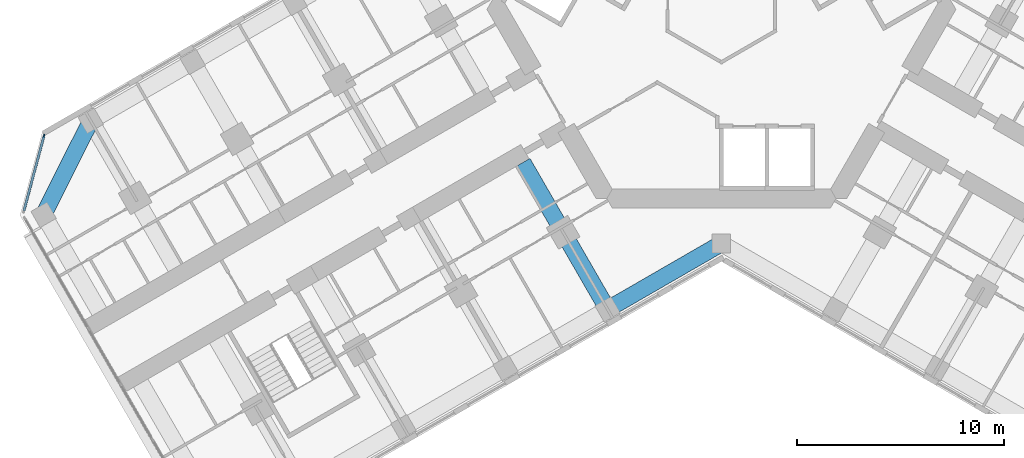
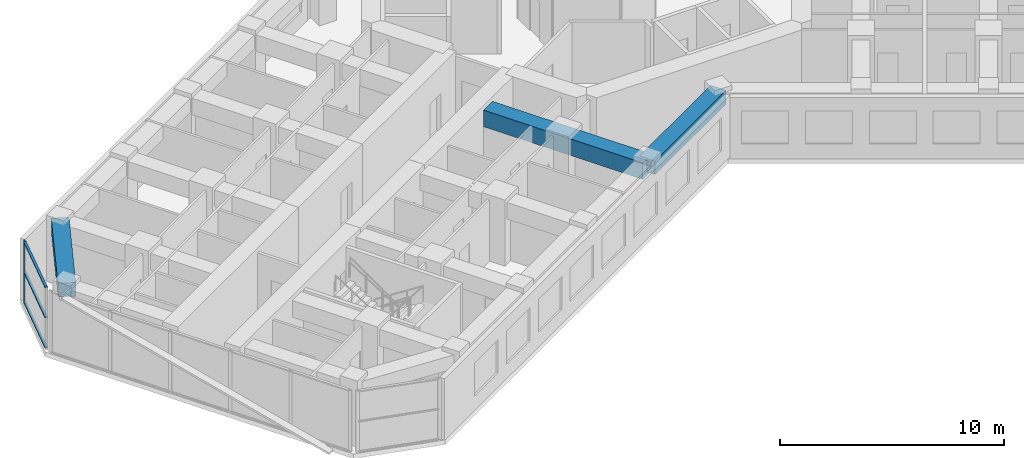
# One storey, part 3 of 19: 4 members, 3 beams, 1 element without a shape of its own.
"""IFC4 building model written with IfcOpenShell, lengths in metres."""

from ifc_helpers import new_model, si_unit, direction, frame, origin, origin_2d, place, context, subcontext, project, spatial, rectangle, extrude, material, material_profile, profile_set, type_object, element, aggregate, save


model = new_model("IFC4")

# Units and contexts
model_context = context("Model", 3, precision=1e-05, world=origin(), true_north=direction((0.0, 1.0)))
body_context = subcontext(model_context, "Body", "Model", "MODEL_VIEW")
ifc_project = project(units=[si_unit("LENGTHUNIT", "METRE"), si_unit("AREAUNIT", "SQUARE_METRE"), si_unit("VOLUMEUNIT", "CUBIC_METRE"), si_unit("PLANEANGLEUNIT", "RADIAN"), si_unit("MASSUNIT", "GRAM", prefix="KILO")], contexts=[model_context])

# Site, building, storey
site_placement = place(None, origin())
site = spatial("IfcSite", under=ifc_project, at=site_placement, CompositionType="ELEMENT")
building_placement = place(site_placement, origin())
building = spatial("IfcBuilding", under=site, at=building_placement, Name="Kosmar Iwan School Tower", CompositionType="ELEMENT")
storey_placement = place(building_placement, frame((0.0, 0.0, 165.199951171875)))
storey = spatial("IfcBuildingStorey", under=building, at=storey_placement, Name="L41", CompositionType="ELEMENT", Elevation=165.199951171875)

# Curtain wall, member
ifc_material_1 = material(Name="Dark glass in black aluminium frame", Category="aluminium")
curtain_wall_type = type_object("IfcCurtainWallType", Name="Chamfer curtain wall dark glass", PredefinedType="USERDEFINED", material=ifc_material_1)
curtain_wall_placement = place(storey_placement, origin())
curtain_wall = element("IfcCurtainWall", 1, at=curtain_wall_placement, inside=storey, type_object=curtain_wall_type, Name="Curtain wall L41-F12", ObjectType="FACETED CURTAIN WALL", PredefinedType="USERDEFINED")
ifc_material_2 = material(Name="Black anodised aluminium", Category="aluminium")
ifc_material_profile_1 = material_profile(ifc_material_2, rectangle(XDim=0.06005859375, YDim=0.159912109375, at=origin_2d()), Name="MULLION 60x160")
ifc_profile_set_1 = profile_set([ifc_material_profile_1], Name="Black anodised aluminium")
member_type_1 = type_object("IfcMemberType", Name="Mullion 60x160", PredefinedType="MULLION", material=ifc_profile_set_1)
member_1_placement = place(storey_placement, frame((-32.78076171875, -6.5732421875, 0.0), z_axis=(0.0, 0.0, 1.0), x_axis=(0.965925875495, -0.258818861462, 0.0)))
member_1 = element("IfcMember", 2, at=member_1_placement, type_object=member_type_1, Name="CW2 mullion 1", PredefinedType="MULLION", context=body_context, shape_type="SweptSolid", body=[
    extrude(rectangle(XDim=0.06005859375, YDim=0.159912109375, at=origin_2d()), origin(), (0.0, 0.0, 1.0), 3.35009765625),
])

# Beams
ifc_material_3 = material(Name="Concrete C50/60", Category="concrete")
ifc_material_profile_2 = material_profile(ifc_material_3, rectangle(XDim=0.800048828125, YDim=0.75, at=origin_2d()), Name="RC 800x750")
ifc_profile_set_2 = profile_set([ifc_material_profile_2], Name="Concrete C50/60")
beam_type_1 = type_object("IfcBeamType", Name="RC edge beam 800x750", PredefinedType="BEAM", material=ifc_profile_set_2)
beam_1_placement = place(storey_placement, frame((0.0, -11.77783203125, 2.97509765625), z_axis=(-0.866014293216, -0.500019243575, 0.0), x_axis=(0.500019243575, -0.866014293216, 0.0)))
element("IfcBeam", 3, at=beam_1_placement, inside=storey, type_object=beam_type_1, Name="Edge beam BL1", PredefinedType="BEAM", context=body_context, shape_type="SweptSolid", body=[
    extrude(rectangle(XDim=0.800048828125, YDim=0.75, at=origin_2d()), origin(), (0.0, 0.0, 1.0), 6.361083984375),
])
ifc_material_4 = material(Name="Concrete C50/60", Category="concrete")
ifc_material_profile_3 = material_profile(ifc_material_4, rectangle(XDim=0.800048828125, YDim=0.75, at=origin_2d()), Name="RC 800x750")
ifc_profile_set_3 = profile_set([ifc_material_profile_3], Name="Concrete C50/60")
beam_type_2 = type_object("IfcBeamType", Name="RC tip beam 800x750", PredefinedType="BEAM", material=ifc_profile_set_3)
beam_2_placement = place(storey_placement, frame((-30.517822265625, -5.841552734375, 2.97509765625), z_axis=(-0.44809604203, -0.893985423325, 0.0), x_axis=(0.893985423325, -0.44809604203, 0.0)))
element("IfcBeam", 4, at=beam_2_placement, inside=storey, type_object=beam_type_2, Name="Tip beam BR", PredefinedType="BEAM", context=body_context, shape_type="SweptSolid", body=[
    extrude(rectangle(XDim=0.800048828125, YDim=0.75, at=origin_2d()), origin(), (0.0, 0.0, 1.0), 5.08935546875),
])
ifc_material_5 = material(Name="Concrete C50/60", Category="concrete")
ifc_material_profile_4 = material_profile(ifc_material_5, rectangle(XDim=0.800048828125, YDim=0.89990234375, at=origin_2d()), Name="RC 800x900")
ifc_profile_set_4 = profile_set([ifc_material_profile_4], Name="Concrete C50/60")
beam_type_3 = type_object("IfcBeamType", Name="RC transverse beam 800x900", PredefinedType="BEAM", material=ifc_profile_set_4)
beam_3_placement = place(storey_placement, frame((-5.5087890625, -14.95849609375, 2.900146484375), z_axis=(-0.500000789788, 0.8660249478, 0.0), x_axis=(-0.8660249478, -0.500000789788, 0.0)))
element("IfcBeam", 5, at=beam_3_placement, inside=storey, type_object=beam_type_3, Name="Transverse beam BL1", PredefinedType="BEAM", context=body_context, shape_type="SweptSolid", body=[
    extrude(rectangle(XDim=0.800048828125, YDim=0.89990234375, at=origin_2d()), origin(), (0.0, 0.0, 1.0), 8.2001953125),
])

# Member
ifc_material_6 = material(Name="Black anodised aluminium", Category="aluminium")
ifc_material_profile_5 = material_profile(ifc_material_6, rectangle(XDim=0.1201171875, YDim=0.06005859375, at=origin_2d()), Name="TRANSOM 60x120")
ifc_profile_set_5 = profile_set([ifc_material_profile_5], Name="Black anodised aluminium")
member_type_2 = type_object("IfcMemberType", Name="Transom 60x120", PredefinedType="USERDEFINED", material=ifc_profile_set_5)
member_2_placement = place(storey_placement, frame((-32.788330078125, -6.602294921875, 0.030029296875), z_axis=(-0.258843273983, -0.965919333854, 0.0), x_axis=(0.965919333854, -0.258843273983, 0.0)))
member_2 = element("IfcMember", 6, at=member_2_placement, type_object=member_type_2, Name="CW2 transom 1.1", ObjectType="TRANSOM", PredefinedType="USERDEFINED", context=body_context, shape_type="SweptSolid", body=[
    extrude(rectangle(XDim=0.1201171875, YDim=0.06005859375, at=origin_2d()), origin(), (0.0, 0.0, 1.0), 3.718994140625),
])

member_3_placement = place(storey_placement, frame((-32.788330078125, -6.602294921875, 1.675048828125), z_axis=(-0.258843273983, -0.965919333854, 0.0), x_axis=(0.965919333854, -0.258843273983, 0.0)))
member_3 = element("IfcMember", 7, at=member_3_placement, type_object=member_type_2, Name="CW2 transom 1.2", ObjectType="TRANSOM", PredefinedType="USERDEFINED", context=body_context, shape_type="SweptSolid", body=[
    extrude(rectangle(XDim=0.1201171875, YDim=0.06005859375, at=origin_2d()), origin(), (0.0, 0.0, 1.0), 3.718994140625),
])

member_4_placement = place(storey_placement, frame((-32.788330078125, -6.602294921875, 3.320068359375), z_axis=(-0.258843273983, -0.965919333854, 0.0), x_axis=(0.965919333854, -0.258843273983, 0.0)))
member_4 = element("IfcMember", 8, at=member_4_placement, type_object=member_type_2, Name="CW2 transom 1.3", ObjectType="TRANSOM", PredefinedType="USERDEFINED", context=body_context, shape_type="SweptSolid", body=[
    extrude(rectangle(XDim=0.1201171875, YDim=0.06005859375, at=origin_2d()), origin(), (0.0, 0.0, 1.0), 3.718994140625),
])

aggregate(curtain_wall, [member_1, member_2, member_3, member_4])

save(model, "model.ifc")
